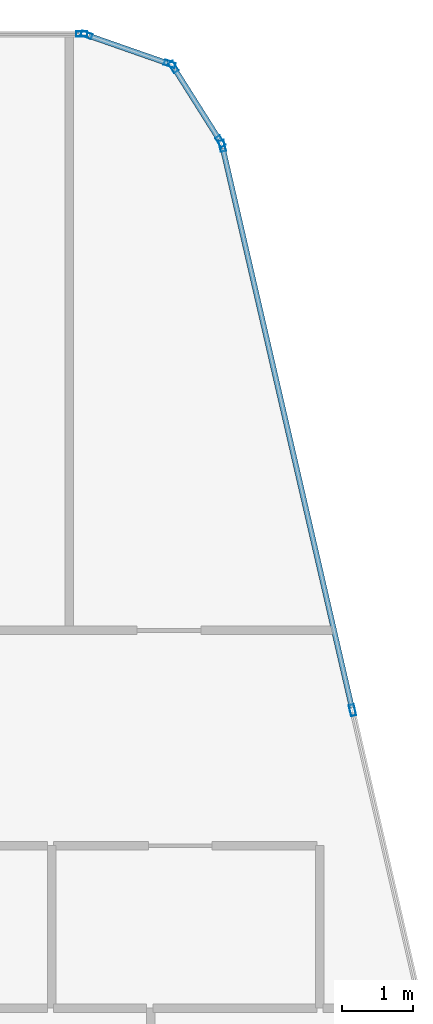
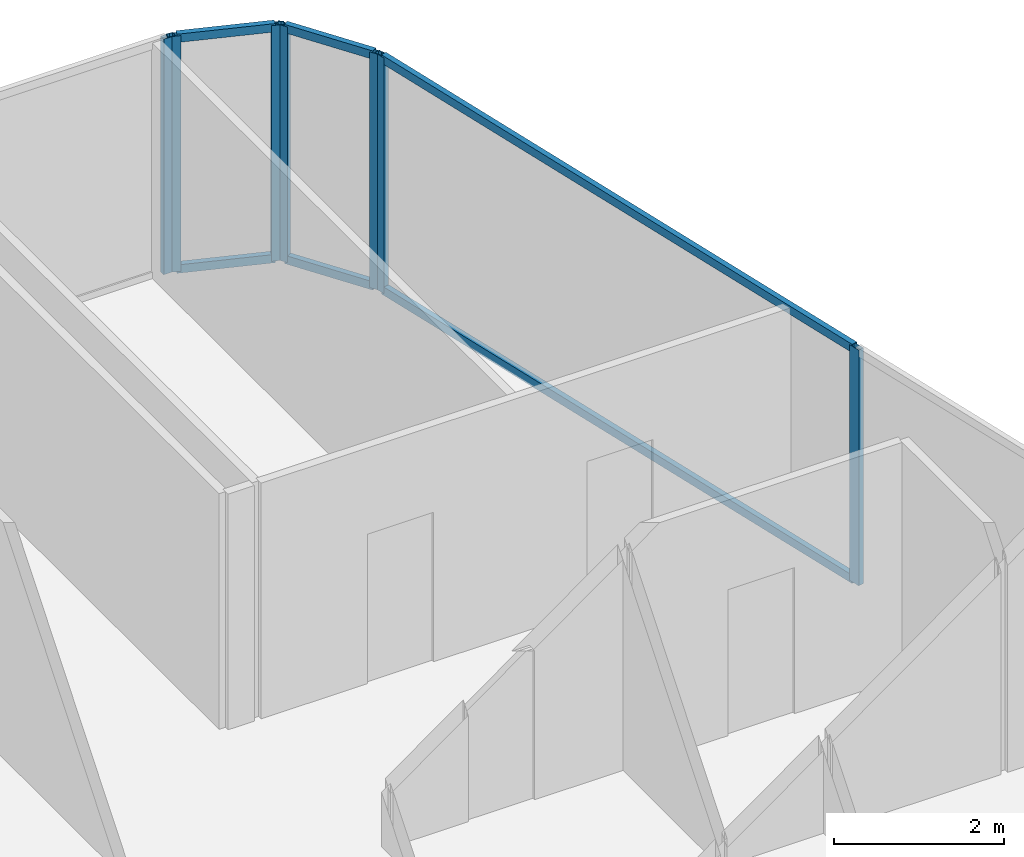
# One storey, part 19 of 27: 13 members, 4 elements without a shape of their own.
"""IFC4 building model written with IfcOpenShell, lengths in metres."""

from ifc_helpers import new_model, si_unit, direction, frame, origin, origin_2d, place, context, subcontext, project, spatial, hollow_rectangle, extrude, material, layer, layer_set, material_profile, profile_set, type_object, element, aggregate, save


model = new_model("IFC4")

# Units and contexts
model_context = context("Model", 3, precision=1e-05, world=origin(), true_north=direction((0.0, 1.0)))
body_context = subcontext(model_context, "Body", "Model", "MODEL_VIEW")
ifc_project = project(units=[si_unit("LENGTHUNIT", "METRE"), si_unit("AREAUNIT", "SQUARE_METRE"), si_unit("VOLUMEUNIT", "CUBIC_METRE"), si_unit("PLANEANGLEUNIT", "RADIAN"), si_unit("MASSUNIT", "GRAM", prefix="KILO")], contexts=[model_context])

# Site, building, storey
site_placement = place(None, origin())
site = spatial("IfcSite", under=ifc_project, at=site_placement, CompositionType="ELEMENT")
building_placement = place(site_placement, origin())
building = spatial("IfcBuilding", under=site, at=building_placement, Name="Keshet Zoharim Tower", CompositionType="ELEMENT")
storey_placement = place(building_placement, frame((0.0, 0.0, 269.5)))
storey = spatial("IfcBuildingStorey", under=building, at=storey_placement, Name="L67", CompositionType="ELEMENT", Elevation=269.5)

# Curtain wall, member
ifc_material = material(Name="Aluminium 6063-T6", Category="aluminium")
ifc_layer = layer(ifc_material, 0.260009765625)
ifc_layer_set = layer_set([ifc_layer], Name="Aluminium 6063-T6")
curtain_wall_type = type_object("IfcCurtainWallType", Name="CW-SYS-06", PredefinedType="NOTDEFINED", material=ifc_layer_set)
curtain_wall_1_placement = place(storey_placement, origin())
curtain_wall_1 = element("IfcCurtainWall", 1, at=curtain_wall_1_placement, inside=storey, type_object=curtain_wall_type, Name="L67 Unitised Curtain Wall 06 Part 5", PredefinedType="NOTDEFINED")
ifc_material_profile_1 = material_profile(ifc_material, hollow_rectangle(XDim=0.074951171875, YDim=0.159912109375, WallThickness=0.00390625, at=origin_2d()), Name="MUL-75x160")
ifc_profile_set_1 = profile_set([ifc_material_profile_1], Name="Aluminium 6063-T6")
member_type_1 = type_object("IfcMemberType", Name="CWM-M15", PredefinedType="MULLION", material=ifc_profile_set_1)
member_1_placement = place(storey_placement, frame((37.3740234375, 53.89990234375, 0.0), z_axis=(0.0, 0.0, 1.0), x_axis=(0.0, 1.0, 0.0)))
member_1 = element("IfcMember", 2, at=member_1_placement, type_object=member_type_1, Name="CW-06 mullion 2", PredefinedType="MULLION", context=body_context, shape_type="SweptSolid", body=[
    extrude(hollow_rectangle(XDim=0.074951171875, YDim=0.159912109375, WallThickness=0.00390625, at=origin_2d()), origin(), (0.0, 0.0, 1.0), 3.389892578125),
])
aggregate(curtain_wall_1, [member_1])

# Curtain wall, members
curtain_wall_2_placement = place(storey_placement, origin())
curtain_wall_2 = element("IfcCurtainWall", 3, at=curtain_wall_2_placement, inside=storey, type_object=curtain_wall_type, Name="L67 Unitised Curtain Wall 07", PredefinedType="NOTDEFINED")
member_2_placement = place(storey_placement, frame((37.442138671875, 53.888427734375, 0.0), z_axis=(0.0, 0.0, 1.0), x_axis=(0.329843743636, 0.944035542119, 0.0)))
member_2 = element("IfcMember", 4, at=member_2_placement, type_object=member_type_1, Name="CW-06 mullion 1", PredefinedType="MULLION", context=body_context, shape_type="SweptSolid", body=[
    extrude(hollow_rectangle(XDim=0.074951171875, YDim=0.159912109375, WallThickness=0.00390625, at=origin_2d()), origin(), (0.0, 0.0, 1.0), 3.389892578125),
])
member_3_placement = place(storey_placement, frame((38.620849609375, 53.4765625, 0.0), z_axis=(0.0, 0.0, 1.0), x_axis=(0.329843743636, 0.944035542119, 0.0)))
member_3 = element("IfcMember", 5, at=member_3_placement, type_object=member_type_1, Name="CW-06 mullion 2", PredefinedType="MULLION", context=body_context, shape_type="SweptSolid", body=[
    extrude(hollow_rectangle(XDim=0.074951171875, YDim=0.159912109375, WallThickness=0.00390625, at=origin_2d()), origin(), (0.0, 0.0, 1.0), 3.389892578125),
])

curtain_wall_3_placement = place(storey_placement, origin())
curtain_wall_3 = element("IfcCurtainWall", 6, at=curtain_wall_3_placement, inside=storey, type_object=curtain_wall_type, Name="L67 Unitised Curtain Wall 08", PredefinedType="NOTDEFINED")
member_4_placement = place(storey_placement, frame((38.672607421875, 53.435302734375, 0.0), z_axis=(0.0, 0.0, 1.0), x_axis=(0.845560976183, 0.533878858502, 0.0)))
member_4 = element("IfcMember", 7, at=member_4_placement, type_object=member_type_1, Name="CW-06 mullion 1", PredefinedType="MULLION", context=body_context, shape_type="SweptSolid", body=[
    extrude(hollow_rectangle(XDim=0.074951171875, YDim=0.159912109375, WallThickness=0.00390625, at=origin_2d()), origin(), (0.0, 0.0, 1.0), 3.389892578125),
])
member_5_placement = place(storey_placement, frame((39.33935546875, 52.379638671875, 0.0), z_axis=(0.0, 0.0, 1.0), x_axis=(0.845560976183, 0.533878858502, 0.0)))
member_5 = element("IfcMember", 8, at=member_5_placement, type_object=member_type_1, Name="CW-06 mullion 2", PredefinedType="MULLION", context=body_context, shape_type="SweptSolid", body=[
    extrude(hollow_rectangle(XDim=0.074951171875, YDim=0.159912109375, WallThickness=0.00390625, at=origin_2d()), origin(), (0.0, 0.0, 1.0), 3.389892578125),
])

curtain_wall_4_placement = place(storey_placement, origin())
curtain_wall_4 = element("IfcCurtainWall", 9, at=curtain_wall_4_placement, inside=storey, type_object=curtain_wall_type, Name="L67 Unitised Curtain Wall 09", PredefinedType="NOTDEFINED")
member_6_placement = place(storey_placement, frame((39.365966796875, 52.31591796875, 0.0), z_axis=(0.0, 0.0, 1.0), x_axis=(0.974398012932, 0.224829963294, 0.0)))
member_6 = element("IfcMember", 10, at=member_6_placement, type_object=member_type_1, Name="CW-06 mullion 1", PredefinedType="MULLION", context=body_context, shape_type="SweptSolid", body=[
    extrude(hollow_rectangle(XDim=0.074951171875, YDim=0.159912109375, WallThickness=0.00390625, at=origin_2d()), origin(), (0.0, 0.0, 1.0), 3.389892578125),
])
member_7_placement = place(storey_placement, frame((41.210693359375, 44.320556640625, 0.0), z_axis=(0.0, 0.0, 1.0), x_axis=(0.974398012932, 0.224829963294, 0.0)))
member_7 = element("IfcMember", 11, at=member_7_placement, type_object=member_type_1, Name="CW-06 mullion 2", PredefinedType="MULLION", context=body_context, shape_type="SweptSolid", body=[
    extrude(hollow_rectangle(XDim=0.074951171875, YDim=0.159912109375, WallThickness=0.00390625, at=origin_2d()), origin(), (0.0, 0.0, 1.0), 3.389892578125),
])

# Member
ifc_material_profile_2 = material_profile(ifc_material, hollow_rectangle(XDim=0.074951171875, YDim=0.1201171875, WallThickness=0.00390625, at=origin_2d()), Name="TRN-75x120")
ifc_profile_set_2 = profile_set([ifc_material_profile_2], Name="Aluminium 6063-T6")
member_type_2 = type_object("IfcMemberType", Name="CWT-T12", PredefinedType="USERDEFINED", material=ifc_profile_set_2)
member_8_placement = place(storey_placement, frame((37.47509765625, 53.876953125, 0.034912109375), z_axis=(0.944006789648, -0.329926023675, 0.0), x_axis=(0.329926023675, 0.944006789648, 0.0)))
member_8 = element("IfcMember", 12, at=member_8_placement, type_object=member_type_2, Name="CW-06 transom 1.1", ObjectType="TRANSOM", PredefinedType="USERDEFINED", context=body_context, shape_type="SweptSolid", body=[
    extrude(hollow_rectangle(XDim=0.074951171875, YDim=0.1201171875, WallThickness=0.00390625, at=origin_2d()), origin(), (0.0, 0.0, 1.0), 1.1787109375),
])

member_9_placement = place(storey_placement, frame((37.47509765625, 53.876953125, 3.35498046875), z_axis=(0.944006789648, -0.329926023675, 0.0), x_axis=(0.329926023675, 0.944006789648, 0.0)))
member_9 = element("IfcMember", 13, at=member_9_placement, type_object=member_type_2, Name="CW-06 transom 1.2", ObjectType="TRANSOM", PredefinedType="USERDEFINED", context=body_context, shape_type="SweptSolid", body=[
    extrude(hollow_rectangle(XDim=0.074951171875, YDim=0.1201171875, WallThickness=0.00390625, at=origin_2d()), origin(), (0.0, 0.0, 1.0), 1.1787109375),
])

aggregate(curtain_wall_2, [member_2, member_3, member_8, member_9])

member_10_placement = place(storey_placement, frame((38.69140625, 53.40576171875, 0.034912109375), z_axis=(0.53382931122, -0.845592257819, 0.0), x_axis=(0.845592257819, 0.53382931122, 0.0)))
member_10 = element("IfcMember", 14, at=member_10_placement, type_object=member_type_2, Name="CW-06 transom 1.1", ObjectType="TRANSOM", PredefinedType="USERDEFINED", context=body_context, shape_type="SweptSolid", body=[
    extrude(hollow_rectangle(XDim=0.074951171875, YDim=0.1201171875, WallThickness=0.00390625, at=origin_2d()), origin(), (0.0, 0.0, 1.0), 1.178466796875),
])

member_11_placement = place(storey_placement, frame((38.69140625, 53.40576171875, 3.35498046875), z_axis=(0.53382931122, -0.845592257819, 0.0), x_axis=(0.845592257819, 0.53382931122, 0.0)))
member_11 = element("IfcMember", 15, at=member_11_placement, type_object=member_type_2, Name="CW-06 transom 1.2", ObjectType="TRANSOM", PredefinedType="USERDEFINED", context=body_context, shape_type="SweptSolid", body=[
    extrude(hollow_rectangle(XDim=0.074951171875, YDim=0.1201171875, WallThickness=0.00390625, at=origin_2d()), origin(), (0.0, 0.0, 1.0), 1.178466796875),
])

aggregate(curtain_wall_3, [member_4, member_5, member_10, member_11])

member_12_placement = place(storey_placement, frame((39.373779296875, 52.28173828125, 0.034912109375), z_axis=(0.224835397421, -0.97439675906, 0.0), x_axis=(0.97439675906, 0.224835397421, 0.0)))
member_12 = element("IfcMember", 16, at=member_12_placement, type_object=member_type_2, Name="CW-06 transom 1.1", ObjectType="TRANSOM", PredefinedType="USERDEFINED", context=body_context, shape_type="SweptSolid", body=[
    extrude(hollow_rectangle(XDim=0.074951171875, YDim=0.1201171875, WallThickness=0.00390625, at=origin_2d()), origin(), (0.0, 0.0, 1.0), 8.13525390625),
])

member_13_placement = place(storey_placement, frame((39.373779296875, 52.28173828125, 3.35498046875), z_axis=(0.224835397421, -0.97439675906, 0.0), x_axis=(0.97439675906, 0.224835397421, 0.0)))
member_13 = element("IfcMember", 17, at=member_13_placement, type_object=member_type_2, Name="CW-06 transom 1.2", ObjectType="TRANSOM", PredefinedType="USERDEFINED", context=body_context, shape_type="SweptSolid", body=[
    extrude(hollow_rectangle(XDim=0.074951171875, YDim=0.1201171875, WallThickness=0.00390625, at=origin_2d()), origin(), (0.0, 0.0, 1.0), 8.13525390625),
])

aggregate(curtain_wall_4, [member_6, member_7, member_12, member_13])

save(model, "model.ifc")
